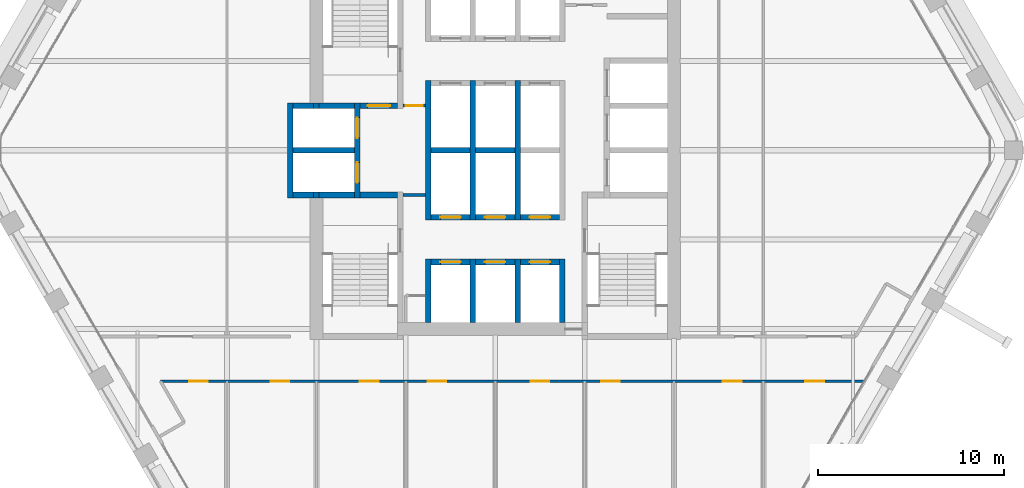
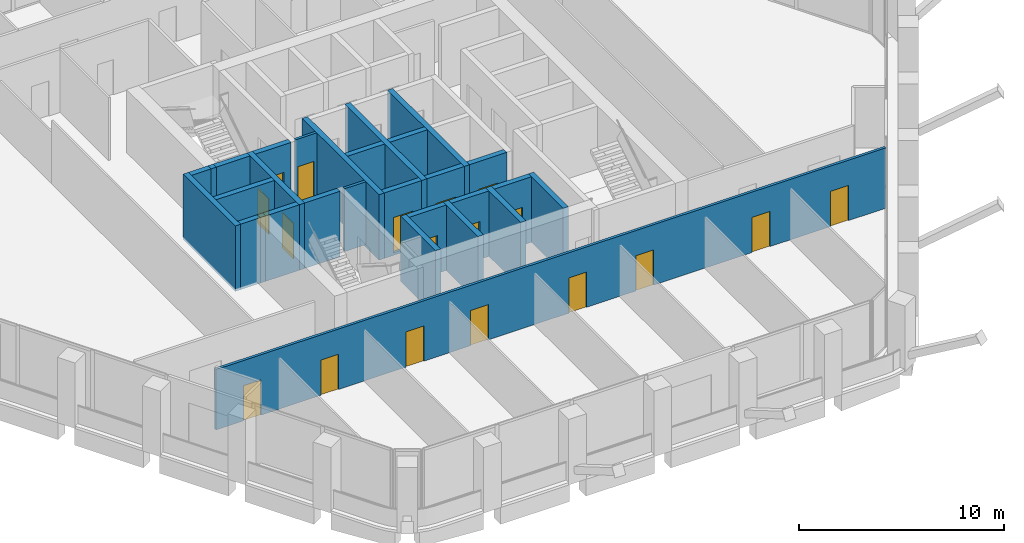
# One storey, part 10 of 16: 29 walls, 18 doors, 18 openings.
"""IFC4 building model written with IfcOpenShell, lengths in metres."""

from ifc_helpers import new_model, si_unit, direction, frame, frame_2d, origin, place, context, subcontext, project, spatial, rectangle, extrude, material, layer, layer_set, type_object, element, fill, save


model = new_model("IFC4")

# Units and contexts
model_context = context("Model", 3, precision=1e-05, world=origin(), true_north=direction((0.0, 1.0)))
body_context = subcontext(model_context, "Body", "Model", "MODEL_VIEW")
ifc_project = project(units=[si_unit("LENGTHUNIT", "METRE"), si_unit("AREAUNIT", "SQUARE_METRE"), si_unit("VOLUMEUNIT", "CUBIC_METRE"), si_unit("PLANEANGLEUNIT", "RADIAN"), si_unit("MASSUNIT", "GRAM", prefix="KILO")], contexts=[model_context])

# Site, building, storey
site_placement = place(None, origin())
site = spatial("IfcSite", under=ifc_project, at=site_placement, CompositionType="ELEMENT")
building_placement = place(site_placement, origin())
building = spatial("IfcBuilding", under=site, at=building_placement, Name="Kolab Exchange Tower", CompositionType="ELEMENT")
storey_placement = place(building_placement, frame((0.0, 0.0, 193.39990234375)))
storey = spatial("IfcBuildingStorey", under=building, at=storey_placement, Name="L41", CompositionType="ELEMENT", Elevation=193.39990234375)

# Wall, opening, door
ifc_material_1 = material(Name="Concrete C50/60", Category="concrete")
ifc_layer_1 = layer(ifc_material_1, 0.300048828125)
ifc_layer_set_1 = layer_set([ifc_layer_1], Name="Concrete C50/60")
wall_type_1 = type_object("IfcWallType", Name="LIFT SHAFT WALL 300 C50/60", PredefinedType="STANDARD", material=ifc_layer_set_1)
wall_1_placement = place(storey_placement, frame((-3.449951171875, -6.0, -0.14990234375), z_axis=(0.0, 0.0, 1.0), x_axis=(1.0, 0.0, 0.0)))
wall_1 = element("IfcWall", 1, at=wall_1_placement, inside=storey, type_object=wall_type_1, Name="wall/L41/core/003", PredefinedType="STANDARD", context=body_context, shape_type="SweptSolid", body=[
    extrude(rectangle(XDim=2.099853515625, YDim=0.300048828125, at=frame_2d((1.0498046875, 0.0))), origin(), (0.0, 0.0, 1.0), 3.89990234375),
])
opening_1_placement = place(wall_1_placement, frame((0.5, 0.0, 0.14990234375)))
opening_1 = element("IfcOpeningElement", 2, at=opening_1_placement, cuts=wall_1, Name="Opening LD1-110", PredefinedType="OPENING", context=body_context, shape_type="SweptSolid", body=[
    extrude(rectangle(XDim=1.10009765625, YDim=2.10009765625, at=frame_2d((0.550048828125, 1.050048828125))), frame((0.0, 0.16015625, 0.0), z_axis=(0.0, -1.0, 0.0), x_axis=(1.0, 0.0, 0.0)), (0.0, 0.0, 1.0), 0.320068359375),
])
ifc_material_2 = material(Name="Stainless steel 316", Category="steel")
door_type_1 = type_object("IfcDoorType", Name="LANDING DOOR 1100 PASSENGER", OperationType="DOUBLE_DOOR_SLIDING", PredefinedType="DOOR", material=ifc_material_2)
door_1_placement = place(opening_1_placement, origin())
door_1 = element("IfcDoor", 3, at=door_1_placement, inside=storey, type_object=door_type_1, Name="Landing door HR10", OperationType="DOUBLE_DOOR_SLIDING", OverallHeight=2.10009765625, OverallWidth=1.10009765625, PredefinedType="DOOR", context=body_context, shape_type="SweptSolid", body=[
    extrude(rectangle(XDim=1.10009765625, YDim=2.10009765625, at=frame_2d((0.550048828125, 1.050048828125))), frame((0.0, 0.02490234375, 0.0), z_axis=(0.0, -1.0, 0.0), x_axis=(1.0, 0.0, 0.0)), (0.0, 0.0, 1.0), 0.050048828125),
])
fill(opening_1, door_1)

wall_2_placement = place(storey_placement, frame((-1.050048828125, -6.0, -0.14990234375), z_axis=(0.0, 0.0, 1.0), x_axis=(1.0, 0.0, 0.0)))
wall_2 = element("IfcWall", 4, at=wall_2_placement, inside=storey, type_object=wall_type_1, Name="wall/L41/core/004", PredefinedType="STANDARD", context=body_context, shape_type="SweptSolid", body=[
    extrude(rectangle(XDim=2.10009765625, YDim=0.300048828125, at=frame_2d((1.050048828125, 0.0))), origin(), (0.0, 0.0, 1.0), 3.89990234375),
])
opening_2_placement = place(wall_2_placement, frame((0.5, 0.0, 0.14990234375)))
opening_2 = element("IfcOpeningElement", 5, at=opening_2_placement, cuts=wall_2, Name="Opening LD1-111", PredefinedType="OPENING", context=body_context, shape_type="SweptSolid", body=[
    extrude(rectangle(XDim=1.10009765625, YDim=2.10009765625, at=frame_2d((0.550048828125, 1.050048828125))), frame((0.0, 0.16015625, 0.0), z_axis=(0.0, -1.0, 0.0), x_axis=(1.0, 0.0, 0.0)), (0.0, 0.0, 1.0), 0.320068359375),
])
door_2_placement = place(opening_2_placement, origin())
door_2 = element("IfcDoor", 6, at=door_2_placement, inside=storey, type_object=door_type_1, Name="Landing door HR11", OperationType="DOUBLE_DOOR_SLIDING", OverallHeight=2.10009765625, OverallWidth=1.10009765625, PredefinedType="DOOR", context=body_context, shape_type="SweptSolid", body=[
    extrude(rectangle(XDim=1.10009765625, YDim=2.10009765625, at=frame_2d((0.550048828125, 1.050048828125))), frame((0.0, 0.02490234375, 0.0), z_axis=(0.0, -1.0, 0.0), x_axis=(1.0, 0.0, 0.0)), (0.0, 0.0, 1.0), 0.050048828125),
])
fill(opening_2, door_2)

wall_3_placement = place(storey_placement, frame((1.35009765625, -6.0, -0.14990234375), z_axis=(0.0, 0.0, 1.0), x_axis=(1.0, 0.0, 0.0)))
wall_3 = element("IfcWall", 7, at=wall_3_placement, inside=storey, type_object=wall_type_1, Name="wall/L41/core/005", PredefinedType="STANDARD", context=body_context, shape_type="SweptSolid", body=[
    extrude(rectangle(XDim=2.099853515625, YDim=0.300048828125, at=frame_2d((1.0498046875, 0.0))), origin(), (0.0, 0.0, 1.0), 3.89990234375),
])
opening_3_placement = place(wall_3_placement, frame((0.5, 0.0, 0.14990234375)))
opening_3 = element("IfcOpeningElement", 8, at=opening_3_placement, cuts=wall_3, Name="Opening LD1-112", PredefinedType="OPENING", context=body_context, shape_type="SweptSolid", body=[
    extrude(rectangle(XDim=1.10009765625, YDim=2.10009765625, at=frame_2d((0.550048828125, 1.050048828125))), frame((0.0, 0.16015625, 0.0), z_axis=(0.0, -1.0, 0.0), x_axis=(1.0, 0.0, 0.0)), (0.0, 0.0, 1.0), 0.320068359375),
])
door_3_placement = place(opening_3_placement, origin())
door_3 = element("IfcDoor", 9, at=door_3_placement, inside=storey, type_object=door_type_1, Name="Landing door HR12", OperationType="DOUBLE_DOOR_SLIDING", OverallHeight=2.10009765625, OverallWidth=1.10009765625, PredefinedType="DOOR", context=body_context, shape_type="SweptSolid", body=[
    extrude(rectangle(XDim=1.10009765625, YDim=2.10009765625, at=frame_2d((0.550048828125, 1.050048828125))), frame((0.0, 0.02490234375, 0.0), z_axis=(0.0, -1.0, 0.0), x_axis=(1.0, 0.0, 0.0)), (0.0, 0.0, 1.0), 0.050048828125),
])
fill(opening_3, door_3)

wall_4_placement = place(storey_placement, frame((-3.449951171875, -3.60009765625, -0.14990234375), z_axis=(0.0, 0.0, 1.0), x_axis=(1.0, 0.0, 0.0)))
wall_4 = element("IfcWall", 10, at=wall_4_placement, inside=storey, type_object=wall_type_1, Name="wall/L41/core/006", PredefinedType="STANDARD", context=body_context, shape_type="SweptSolid", body=[
    extrude(rectangle(XDim=2.099853515625, YDim=0.300048828125, at=frame_2d((1.0498046875, 0.0))), origin(), (0.0, 0.0, 1.0), 3.89990234375),
])
opening_4_placement = place(wall_4_placement, frame((0.5, 0.0, 0.14990234375)))
opening_4 = element("IfcOpeningElement", 11, at=opening_4_placement, cuts=wall_4, Name="Opening LD1-118", PredefinedType="OPENING", context=body_context, shape_type="SweptSolid", body=[
    extrude(rectangle(XDim=1.10009765625, YDim=2.10009765625, at=frame_2d((0.550048828125, 1.050048828125))), frame((0.0, 0.16015625, 0.0), z_axis=(0.0, -1.0, 0.0), x_axis=(1.0, 0.0, 0.0)), (0.0, 0.0, 1.0), 0.320068359375),
])
door_4_placement = place(opening_4_placement, origin())
door_4 = element("IfcDoor", 12, at=door_4_placement, inside=storey, type_object=door_type_1, Name="Landing door HR7", OperationType="DOUBLE_DOOR_SLIDING", OverallHeight=2.10009765625, OverallWidth=1.10009765625, PredefinedType="DOOR", context=body_context, shape_type="SweptSolid", body=[
    extrude(rectangle(XDim=1.10009765625, YDim=2.10009765625, at=frame_2d((0.550048828125, 1.050048828125))), frame((0.0, 0.02490234375, 0.0), z_axis=(0.0, -1.0, 0.0), x_axis=(1.0, 0.0, 0.0)), (0.0, 0.0, 1.0), 0.050048828125),
])
fill(opening_4, door_4)

wall_5_placement = place(storey_placement, frame((-1.050048828125, -3.60009765625, -0.14990234375), z_axis=(0.0, 0.0, 1.0), x_axis=(1.0, 0.0, 0.0)))
wall_5 = element("IfcWall", 13, at=wall_5_placement, inside=storey, type_object=wall_type_1, Name="wall/L41/core/007", PredefinedType="STANDARD", context=body_context, shape_type="SweptSolid", body=[
    extrude(rectangle(XDim=2.10009765625, YDim=0.300048828125, at=frame_2d((1.050048828125, 0.0))), origin(), (0.0, 0.0, 1.0), 3.89990234375),
])
opening_5_placement = place(wall_5_placement, frame((0.5, 0.0, 0.14990234375)))
opening_5 = element("IfcOpeningElement", 14, at=opening_5_placement, cuts=wall_5, Name="Opening LD1-119", PredefinedType="OPENING", context=body_context, shape_type="SweptSolid", body=[
    extrude(rectangle(XDim=1.10009765625, YDim=2.10009765625, at=frame_2d((0.550048828125, 1.050048828125))), frame((0.0, 0.16015625, 0.0), z_axis=(0.0, -1.0, 0.0), x_axis=(1.0, 0.0, 0.0)), (0.0, 0.0, 1.0), 0.320068359375),
])
door_5_placement = place(opening_5_placement, origin())
door_5 = element("IfcDoor", 15, at=door_5_placement, inside=storey, type_object=door_type_1, Name="Landing door HR8", OperationType="DOUBLE_DOOR_SLIDING", OverallHeight=2.10009765625, OverallWidth=1.10009765625, PredefinedType="DOOR", context=body_context, shape_type="SweptSolid", body=[
    extrude(rectangle(XDim=1.10009765625, YDim=2.10009765625, at=frame_2d((0.550048828125, 1.050048828125))), frame((0.0, 0.02490234375, 0.0), z_axis=(0.0, -1.0, 0.0), x_axis=(1.0, 0.0, 0.0)), (0.0, 0.0, 1.0), 0.050048828125),
])
fill(opening_5, door_5)

wall_6_placement = place(storey_placement, frame((1.35009765625, -3.60009765625, -0.14990234375), z_axis=(0.0, 0.0, 1.0), x_axis=(1.0, 0.0, 0.0)))
wall_6 = element("IfcWall", 16, at=wall_6_placement, inside=storey, type_object=wall_type_1, Name="wall/L41/core/008", PredefinedType="STANDARD", context=body_context, shape_type="SweptSolid", body=[
    extrude(rectangle(XDim=2.099853515625, YDim=0.300048828125, at=frame_2d((1.0498046875, 0.0))), origin(), (0.0, 0.0, 1.0), 3.89990234375),
])
opening_6_placement = place(wall_6_placement, frame((0.5, 0.0, 0.14990234375)))
opening_6 = element("IfcOpeningElement", 17, at=opening_6_placement, cuts=wall_6, Name="Opening LD1-120", PredefinedType="OPENING", context=body_context, shape_type="SweptSolid", body=[
    extrude(rectangle(XDim=1.10009765625, YDim=2.10009765625, at=frame_2d((0.550048828125, 1.050048828125))), frame((0.0, 0.16015625, 0.0), z_axis=(0.0, -1.0, 0.0), x_axis=(1.0, 0.0, 0.0)), (0.0, 0.0, 1.0), 0.320068359375),
])
door_6_placement = place(opening_6_placement, origin())
door_6 = element("IfcDoor", 18, at=door_6_placement, inside=storey, type_object=door_type_1, Name="Landing door HR9", OperationType="DOUBLE_DOOR_SLIDING", OverallHeight=2.10009765625, OverallWidth=1.10009765625, PredefinedType="DOOR", context=body_context, shape_type="SweptSolid", body=[
    extrude(rectangle(XDim=1.10009765625, YDim=2.10009765625, at=frame_2d((0.550048828125, 1.050048828125))), frame((0.0, 0.02490234375, 0.0), z_axis=(0.0, -1.0, 0.0), x_axis=(1.0, 0.0, 0.0)), (0.0, 0.0, 1.0), 0.050048828125),
])
fill(opening_6, door_6)

# Walls
wall_7_placement = place(storey_placement, frame((-10.85009765625, -2.39990234375, -0.14990234375), z_axis=(0.0, 0.0, 1.0), x_axis=(1.0, 0.0, 0.0)))
element("IfcWall", 19, at=wall_7_placement, inside=storey, type_object=wall_type_1, Name="wall/L41/core/009", PredefinedType="STANDARD", context=body_context, shape_type="SweptSolid", body=[
    extrude(rectangle(XDim=1.10009765625, YDim=0.300048828125, at=frame_2d((0.550048828125, 0.0))), origin(), (0.0, 0.0, 1.0), 3.89990234375),
])
wall_8_placement = place(storey_placement, frame((-10.85009765625, 0.0, -0.14990234375), z_axis=(0.0, 0.0, 1.0), x_axis=(1.0, 0.0, 0.0)))
element("IfcWall", 20, at=wall_8_placement, inside=storey, type_object=wall_type_1, Name="wall/L41/core/014", PredefinedType="STANDARD", context=body_context, shape_type="SweptSolid", body=[
    extrude(rectangle(XDim=3.300048828125, YDim=0.300048828125, at=frame_2d((1.64990234375, 0.0))), origin(), (0.0, 0.0, 1.0), 3.89990234375),
])
wall_9_placement = place(storey_placement, frame((-3.449951171875, 0.0, -0.14990234375), z_axis=(0.0, 0.0, 1.0), x_axis=(1.0, 0.0, 0.0)))
element("IfcWall", 21, at=wall_9_placement, inside=storey, type_object=wall_type_1, Name="wall/L41/core/015", PredefinedType="STANDARD", context=body_context, shape_type="SweptSolid", body=[
    extrude(rectangle(XDim=2.099853515625, YDim=0.300048828125, at=frame_2d((1.0498046875, 0.0))), origin(), (0.0, 0.0, 1.0), 3.89990234375),
])
wall_10_placement = place(storey_placement, frame((-1.050048828125, 0.0, -0.14990234375), z_axis=(0.0, 0.0, 1.0), x_axis=(1.0, 0.0, 0.0)))
element("IfcWall", 22, at=wall_10_placement, inside=storey, type_object=wall_type_1, Name="wall/L41/core/016", PredefinedType="STANDARD", context=body_context, shape_type="SweptSolid", body=[
    extrude(rectangle(XDim=2.10009765625, YDim=0.300048828125, at=frame_2d((1.050048828125, 0.0))), origin(), (0.0, 0.0, 1.0), 3.89990234375),
])
wall_11_placement = place(storey_placement, frame((-10.85009765625, 2.39990234375, -0.14990234375), z_axis=(0.0, 0.0, 1.0), x_axis=(1.0, 0.0, 0.0)))
element("IfcWall", 23, at=wall_11_placement, inside=storey, type_object=wall_type_1, Name="wall/L41/core/019", PredefinedType="STANDARD", context=body_context, shape_type="SweptSolid", body=[
    extrude(rectangle(XDim=1.10009765625, YDim=0.300048828125, at=frame_2d((0.550048828125, 0.0))), origin(), (0.0, 0.0, 1.0), 3.89990234375),
])
wall_12_placement = place(storey_placement, frame((-11.0, -2.550048828125, -0.14990234375), z_axis=(0.0, 0.0, 1.0), x_axis=(0.0, 1.0, 0.0)))
element("IfcWall", 24, at=wall_12_placement, inside=storey, type_object=wall_type_1, Name="wall/L41/core/033", PredefinedType="STANDARD", context=body_context, shape_type="SweptSolid", body=[
    extrude(rectangle(XDim=5.10009765625, YDim=0.300048828125, at=frame_2d((2.550048828125, 0.0))), origin(), (0.0, 0.0, 1.0), 3.89990234375),
])

# Wall, openings, doors
wall_13_placement = place(storey_placement, frame((-7.39990234375, -2.550048828125, -0.14990234375), z_axis=(0.0, 0.0, 1.0), x_axis=(0.0, 1.0, 0.0)))
wall_13 = element("IfcWall", 25, at=wall_13_placement, inside=storey, type_object=wall_type_1, Name="wall/L41/core/038", PredefinedType="STANDARD", context=body_context, shape_type="SweptSolid", body=[
    extrude(rectangle(XDim=5.10009765625, YDim=0.300048828125, at=frame_2d((2.550048828125, 0.0))), origin(), (0.0, 0.0, 1.0), 3.89990234375),
])
opening_7_placement = place(wall_13_placement, frame((0.800048828125, 0.0, 0.14990234375)))
opening_7 = element("IfcOpeningElement", 26, at=opening_7_placement, cuts=wall_13, Name="Opening LD2-025", PredefinedType="OPENING", context=body_context, shape_type="SweptSolid", body=[
    extrude(rectangle(XDim=1.10009765625, YDim=2.10009765625, at=frame_2d((0.550048828125, 1.050048828125))), frame((0.0, 0.16015625, 0.0), z_axis=(0.0, -1.0, 0.0), x_axis=(1.0, 0.0, 0.0)), (0.0, 0.0, 1.0), 0.320068359375),
])
opening_8_placement = place(wall_13_placement, frame((3.199951171875, 0.0, 0.14990234375)))
opening_8 = element("IfcOpeningElement", 27, at=opening_8_placement, cuts=wall_13, Name="Opening LD2-026", PredefinedType="OPENING", context=body_context, shape_type="SweptSolid", body=[
    extrude(rectangle(XDim=1.10009765625, YDim=2.10009765625, at=frame_2d((0.550048828125, 1.050048828125))), frame((0.0, 0.16015625, 0.0), z_axis=(0.0, -1.0, 0.0), x_axis=(1.0, 0.0, 0.0)), (0.0, 0.0, 1.0), 0.320068359375),
])
door_type_2 = type_object("IfcDoorType", Name="LANDING DOOR 1100 FIREFIGHTING", OperationType="DOUBLE_DOOR_SLIDING", PredefinedType="DOOR", material=ifc_material_2)
door_7_placement = place(opening_7_placement, origin())
door_7 = element("IfcDoor", 28, at=door_7_placement, inside=storey, type_object=door_type_2, Name="Landing door FF1", OperationType="DOUBLE_DOOR_SLIDING", OverallHeight=2.10009765625, OverallWidth=1.10009765625, PredefinedType="DOOR", context=body_context, shape_type="SweptSolid", body=[
    extrude(rectangle(XDim=1.10009765625, YDim=2.10009765625, at=frame_2d((0.550048828125, 1.050048828125))), frame((0.0, 0.02490234375, 0.0), z_axis=(0.0, -1.0, 0.0), x_axis=(1.0, 0.0, 0.0)), (0.0, 0.0, 1.0), 0.050048828125),
])
fill(opening_7, door_7)
door_8_placement = place(opening_8_placement, origin())
door_8 = element("IfcDoor", 29, at=door_8_placement, inside=storey, type_object=door_type_2, Name="Landing door FF2", OperationType="DOUBLE_DOOR_SLIDING", OverallHeight=2.10009765625, OverallWidth=1.10009765625, PredefinedType="DOOR", context=body_context, shape_type="SweptSolid", body=[
    extrude(rectangle(XDim=1.10009765625, YDim=2.10009765625, at=frame_2d((0.550048828125, 1.050048828125))), frame((0.0, 0.02490234375, 0.0), z_axis=(0.0, -1.0, 0.0), x_axis=(1.0, 0.0, 0.0)), (0.0, 0.0, 1.0), 0.050048828125),
])
fill(opening_8, door_8)

# Walls
wall_14_placement = place(storey_placement, frame((-3.60009765625, -9.25, -0.14990234375), z_axis=(0.0, 0.0, 1.0), x_axis=(0.0, 1.0, 0.0)))
element("IfcWall", 30, at=wall_14_placement, inside=storey, type_object=wall_type_1, Name="wall/L41/core/043", PredefinedType="STANDARD", context=body_context, shape_type="SweptSolid", body=[
    extrude(rectangle(XDim=3.39990234375, YDim=0.300048828125, at=frame_2d((1.699951171875, 0.0))), origin(), (0.0, 0.0, 1.0), 3.89990234375),
])
wall_15_placement = place(storey_placement, frame((-3.60009765625, -3.75, -0.14990234375), z_axis=(0.0, 0.0, 1.0), x_axis=(0.0, 1.0, 0.0)))
element("IfcWall", 31, at=wall_15_placement, inside=storey, type_object=wall_type_1, Name="wall/L41/core/044", PredefinedType="STANDARD", context=body_context, shape_type="SweptSolid", body=[
    extrude(rectangle(XDim=7.5, YDim=0.300048828125, at=frame_2d((3.75, 0.0))), origin(), (0.0, 0.0, 1.0), 3.89990234375),
])
wall_16_placement = place(storey_placement, frame((-1.199951171875, -9.25, -0.14990234375), z_axis=(0.0, 0.0, 1.0), x_axis=(0.0, 1.0, 0.0)))
element("IfcWall", 32, at=wall_16_placement, inside=storey, type_object=wall_type_1, Name="wall/L41/core/046", PredefinedType="STANDARD", context=body_context, shape_type="SweptSolid", body=[
    extrude(rectangle(XDim=3.39990234375, YDim=0.300048828125, at=frame_2d((1.699951171875, 0.0))), origin(), (0.0, 0.0, 1.0), 3.89990234375),
])
wall_17_placement = place(storey_placement, frame((-1.199951171875, -3.75, -0.14990234375), z_axis=(0.0, 0.0, 1.0), x_axis=(0.0, 1.0, 0.0)))
element("IfcWall", 33, at=wall_17_placement, inside=storey, type_object=wall_type_1, Name="wall/L41/core/047", PredefinedType="STANDARD", context=body_context, shape_type="SweptSolid", body=[
    extrude(rectangle(XDim=7.5, YDim=0.300048828125, at=frame_2d((3.75, 0.0))), origin(), (0.0, 0.0, 1.0), 3.89990234375),
])
wall_18_placement = place(storey_placement, frame((1.199951171875, -9.25, -0.14990234375), z_axis=(0.0, 0.0, 1.0), x_axis=(0.0, 1.0, 0.0)))
element("IfcWall", 34, at=wall_18_placement, inside=storey, type_object=wall_type_1, Name="wall/L41/core/049", PredefinedType="STANDARD", context=body_context, shape_type="SweptSolid", body=[
    extrude(rectangle(XDim=3.39990234375, YDim=0.300048828125, at=frame_2d((1.699951171875, 0.0))), origin(), (0.0, 0.0, 1.0), 3.89990234375),
])
wall_19_placement = place(storey_placement, frame((1.199951171875, -3.75, -0.14990234375), z_axis=(0.0, 0.0, 1.0), x_axis=(0.0, 1.0, 0.0)))
element("IfcWall", 35, at=wall_19_placement, inside=storey, type_object=wall_type_1, Name="wall/L41/core/050", PredefinedType="STANDARD", context=body_context, shape_type="SweptSolid", body=[
    extrude(rectangle(XDim=7.5, YDim=0.300048828125, at=frame_2d((3.75, 0.0))), origin(), (0.0, 0.0, 1.0), 3.89990234375),
])
wall_20_placement = place(storey_placement, frame((3.60009765625, -9.25, -0.14990234375), z_axis=(0.0, 0.0, 1.0), x_axis=(0.0, 1.0, 0.0)))
element("IfcWall", 36, at=wall_20_placement, inside=storey, type_object=wall_type_1, Name="wall/L41/core/052", PredefinedType="STANDARD", context=body_context, shape_type="SweptSolid", body=[
    extrude(rectangle(XDim=3.39990234375, YDim=0.300048828125, at=frame_2d((1.699951171875, 0.0))), origin(), (0.0, 0.0, 1.0), 3.89990234375),
])

# Wall, openings, doors
ifc_material_3 = material(Name="Gypsum board", Category="gypsum")
ifc_layer_2 = layer(ifc_material_3, 0.14990234375)
ifc_layer_set_2 = layer_set([ifc_layer_2], Name="Gypsum board")
wall_type_2 = type_object("IfcWallType", Name="PARTITION 150 FIRE-RATED", PredefinedType="PARTITIONING", material=ifc_layer_set_2)
wall_21_placement = place(storey_placement, frame((-17.968994140625, -12.39990234375, 0.0), z_axis=(0.0, 0.0, 1.0), x_axis=(1.0, 0.0, 0.0)))
wall_21 = element("IfcWall", 37, at=wall_21_placement, inside=storey, type_object=wall_type_2, Name="Partition 028", PredefinedType="PARTITIONING", context=body_context, shape_type="SweptSolid", body=[
    extrude(rectangle(XDim=37.7392578125, YDim=0.14990234375, at=frame_2d((18.86962890625, 0.0))), origin(), (0.0, 0.0, 1.0), 3.60009765625),
])
opening_9_placement = place(wall_21_placement, frame((1.534912109375, 0.0, 0.0)))
opening_9 = element("IfcOpeningElement", 38, at=opening_9_placement, cuts=wall_21, Name="Opening D1-538", PredefinedType="OPENING", context=body_context, shape_type="SweptSolid", body=[
    extrude(rectangle(XDim=1.0, YDim=2.10009765625, at=frame_2d((0.5, 1.050048828125))), frame((0.0, 0.0849609375, 0.0), z_axis=(0.0, -1.0, 0.0), x_axis=(1.0, 0.0, 0.0)), (0.0, 0.0, 1.0), 0.169921875),
])
opening_10_placement = place(wall_21_placement, frame((5.90380859375, 0.0, 0.0)))
opening_10 = element("IfcOpeningElement", 39, at=opening_10_placement, cuts=wall_21, Name="Opening D1-539", PredefinedType="OPENING", context=body_context, shape_type="SweptSolid", body=[
    extrude(rectangle(XDim=1.0, YDim=2.10009765625, at=frame_2d((0.5, 1.050048828125))), frame((0.0, 0.0849609375, 0.0), z_axis=(0.0, -1.0, 0.0), x_axis=(1.0, 0.0, 0.0)), (0.0, 0.0, 1.0), 0.169921875),
])
opening_11_placement = place(wall_21_placement, frame((10.703857421875, 0.0, 0.0)))
opening_11 = element("IfcOpeningElement", 40, at=opening_11_placement, cuts=wall_21, Name="Opening D1-540", PredefinedType="OPENING", context=body_context, shape_type="SweptSolid", body=[
    extrude(rectangle(XDim=1.0, YDim=2.10009765625, at=frame_2d((0.5, 1.050048828125))), frame((0.0, 0.0849609375, 0.0), z_axis=(0.0, -1.0, 0.0), x_axis=(1.0, 0.0, 0.0)), (0.0, 0.0, 1.0), 0.169921875),
])
opening_12_placement = place(wall_21_placement, frame((14.343994140625, 0.0, 0.0)))
opening_12 = element("IfcOpeningElement", 41, at=opening_12_placement, cuts=wall_21, Name="Opening D1-541", PredefinedType="OPENING", context=body_context, shape_type="SweptSolid", body=[
    extrude(rectangle(XDim=1.0, YDim=2.10009765625, at=frame_2d((0.5, 1.050048828125))), frame((0.0, 0.0849609375, 0.0), z_axis=(0.0, -1.0, 0.0), x_axis=(1.0, 0.0, 0.0)), (0.0, 0.0, 1.0), 0.169921875),
])
opening_13_placement = place(wall_21_placement, frame((19.868896484375, 0.0, 0.0)))
opening_13 = element("IfcOpeningElement", 42, at=opening_13_placement, cuts=wall_21, Name="Opening D1-542", PredefinedType="OPENING", context=body_context, shape_type="SweptSolid", body=[
    extrude(rectangle(XDim=1.0, YDim=2.10009765625, at=frame_2d((0.5, 1.050048828125))), frame((0.0, 0.0849609375, 0.0), z_axis=(0.0, -1.0, 0.0), x_axis=(1.0, 0.0, 0.0)), (0.0, 0.0, 1.0), 0.169921875),
])
opening_14_placement = place(wall_21_placement, frame((23.65380859375, 0.0, 0.0)))
opening_14 = element("IfcOpeningElement", 43, at=opening_14_placement, cuts=wall_21, Name="Opening D1-543", PredefinedType="OPENING", context=body_context, shape_type="SweptSolid", body=[
    extrude(rectangle(XDim=1.0, YDim=2.10009765625, at=frame_2d((0.5, 1.050048828125))), frame((0.0, 0.0849609375, 0.0), z_axis=(0.0, -1.0, 0.0), x_axis=(1.0, 0.0, 0.0)), (0.0, 0.0, 1.0), 0.169921875),
])
opening_15_placement = place(wall_21_placement, frame((30.19384765625, 0.0, 0.0)))
opening_15 = element("IfcOpeningElement", 44, at=opening_15_placement, cuts=wall_21, Name="Opening D1-544", PredefinedType="OPENING", context=body_context, shape_type="SweptSolid", body=[
    extrude(rectangle(XDim=1.0, YDim=2.10009765625, at=frame_2d((0.5, 1.050048828125))), frame((0.0, 0.0849609375, 0.0), z_axis=(0.0, -1.0, 0.0), x_axis=(1.0, 0.0, 0.0)), (0.0, 0.0, 1.0), 0.169921875),
])
opening_16_placement = place(wall_21_placement, frame((34.623291015625, 0.0, 0.0)))
opening_16 = element("IfcOpeningElement", 45, at=opening_16_placement, cuts=wall_21, Name="Opening D1-545", PredefinedType="OPENING", context=body_context, shape_type="SweptSolid", body=[
    extrude(rectangle(XDim=1.0, YDim=2.10009765625, at=frame_2d((0.5, 1.050048828125))), frame((0.0, 0.0849609375, 0.0), z_axis=(0.0, -1.0, 0.0), x_axis=(1.0, 0.0, 0.0)), (0.0, 0.0, 1.0), 0.169921875),
])
ifc_material_4 = material(Name="Steel S235", Category="steel")
door_type_3 = type_object("IfcDoorType", Name="FLUSH DOOR 1000 FD60", OperationType="SINGLE_SWING_LEFT", PredefinedType="DOOR", material=ifc_material_4)
door_9_placement = place(opening_9_placement, frame((1.0, 0.0, 0.0), z_axis=(0.0, 0.0, 1.0), x_axis=(-1.0, 0.0, 0.0)))
door_9 = element("IfcDoor", 46, at=door_9_placement, inside=storey, type_object=door_type_3, Name="Door L41-040", OperationType="SINGLE_SWING_RIGHT", OverallHeight=2.10009765625, OverallWidth=1.0, PredefinedType="DOOR", context=body_context, shape_type="SweptSolid", body=[
    extrude(rectangle(XDim=1.0, YDim=2.10009765625, at=frame_2d((0.5, 1.050048828125))), frame((0.0, 0.02490234375, 0.0), z_axis=(0.0, -1.0, 0.0), x_axis=(1.0, 0.0, 0.0)), (0.0, 0.0, 1.0), 0.050048828125),
])
fill(opening_9, door_9)
door_10_placement = place(opening_10_placement, frame((1.0, 0.0, 0.0), z_axis=(0.0, 0.0, 1.0), x_axis=(-1.0, 0.0, 0.0)))
door_10 = element("IfcDoor", 47, at=door_10_placement, inside=storey, type_object=door_type_3, Name="Door L41-041", OperationType="SINGLE_SWING_RIGHT", OverallHeight=2.10009765625, OverallWidth=1.0, PredefinedType="DOOR", context=body_context, shape_type="SweptSolid", body=[
    extrude(rectangle(XDim=1.0, YDim=2.10009765625, at=frame_2d((0.5, 1.050048828125))), frame((0.0, 0.02490234375, 0.0), z_axis=(0.0, -1.0, 0.0), x_axis=(1.0, 0.0, 0.0)), (0.0, 0.0, 1.0), 0.050048828125),
])
fill(opening_10, door_10)
door_11_placement = place(opening_11_placement, frame((1.0, 0.0, 0.0), z_axis=(0.0, 0.0, 1.0), x_axis=(-1.0, 0.0, 0.0)))
door_11 = element("IfcDoor", 48, at=door_11_placement, inside=storey, type_object=door_type_3, Name="Door L41-042", OperationType="SINGLE_SWING_RIGHT", OverallHeight=2.10009765625, OverallWidth=1.0, PredefinedType="DOOR", context=body_context, shape_type="SweptSolid", body=[
    extrude(rectangle(XDim=1.0, YDim=2.10009765625, at=frame_2d((0.5, 1.050048828125))), frame((0.0, 0.02490234375, 0.0), z_axis=(0.0, -1.0, 0.0), x_axis=(1.0, 0.0, 0.0)), (0.0, 0.0, 1.0), 0.050048828125),
])
fill(opening_11, door_11)
door_12_placement = place(opening_12_placement, frame((1.0, 0.0, 0.0), z_axis=(0.0, 0.0, 1.0), x_axis=(-1.0, 0.0, 0.0)))
door_12 = element("IfcDoor", 49, at=door_12_placement, inside=storey, type_object=door_type_3, Name="Door L41-043", OperationType="SINGLE_SWING_LEFT", OverallHeight=2.10009765625, OverallWidth=1.0, PredefinedType="DOOR", context=body_context, shape_type="SweptSolid", body=[
    extrude(rectangle(XDim=1.0, YDim=2.10009765625, at=frame_2d((0.5, 1.050048828125))), frame((0.0, 0.02490234375, 0.0), z_axis=(0.0, -1.0, 0.0), x_axis=(1.0, 0.0, 0.0)), (0.0, 0.0, 1.0), 0.050048828125),
])
fill(opening_12, door_12)
door_13_placement = place(opening_13_placement, frame((1.0, 0.0, 0.0), z_axis=(0.0, 0.0, 1.0), x_axis=(-1.0, 0.0, 0.0)))
door_13 = element("IfcDoor", 50, at=door_13_placement, inside=storey, type_object=door_type_3, Name="Door L41-044", OperationType="SINGLE_SWING_LEFT", OverallHeight=2.10009765625, OverallWidth=1.0, PredefinedType="DOOR", context=body_context, shape_type="SweptSolid", body=[
    extrude(rectangle(XDim=1.0, YDim=2.10009765625, at=frame_2d((0.5, 1.050048828125))), frame((0.0, 0.02490234375, 0.0), z_axis=(0.0, -1.0, 0.0), x_axis=(1.0, 0.0, 0.0)), (0.0, 0.0, 1.0), 0.050048828125),
])
fill(opening_13, door_13)
door_14_placement = place(opening_14_placement, frame((1.0, 0.0, 0.0), z_axis=(0.0, 0.0, 1.0), x_axis=(-1.0, 0.0, 0.0)))
door_14 = element("IfcDoor", 51, at=door_14_placement, inside=storey, type_object=door_type_3, Name="Door L41-045", OperationType="SINGLE_SWING_LEFT", OverallHeight=2.10009765625, OverallWidth=1.0, PredefinedType="DOOR", context=body_context, shape_type="SweptSolid", body=[
    extrude(rectangle(XDim=1.0, YDim=2.10009765625, at=frame_2d((0.5, 1.050048828125))), frame((0.0, 0.02490234375, 0.0), z_axis=(0.0, -1.0, 0.0), x_axis=(1.0, 0.0, 0.0)), (0.0, 0.0, 1.0), 0.050048828125),
])
fill(opening_14, door_14)
door_15_placement = place(opening_15_placement, frame((1.0, 0.0, 0.0), z_axis=(0.0, 0.0, 1.0), x_axis=(-1.0, 0.0, 0.0)))
door_15 = element("IfcDoor", 52, at=door_15_placement, inside=storey, type_object=door_type_3, Name="Door L41-046", OperationType="SINGLE_SWING_RIGHT", OverallHeight=2.10009765625, OverallWidth=1.0, PredefinedType="DOOR", context=body_context, shape_type="SweptSolid", body=[
    extrude(rectangle(XDim=1.0, YDim=2.10009765625, at=frame_2d((0.5, 1.050048828125))), frame((0.0, 0.02490234375, 0.0), z_axis=(0.0, -1.0, 0.0), x_axis=(1.0, 0.0, 0.0)), (0.0, 0.0, 1.0), 0.050048828125),
])
fill(opening_15, door_15)
door_16_placement = place(opening_16_placement, frame((1.0, 0.0, 0.0), z_axis=(0.0, 0.0, 1.0), x_axis=(-1.0, 0.0, 0.0)))
door_16 = element("IfcDoor", 53, at=door_16_placement, inside=storey, type_object=door_type_3, Name="Door L41-047", OperationType="SINGLE_SWING_RIGHT", OverallHeight=2.10009765625, OverallWidth=1.0, PredefinedType="DOOR", context=body_context, shape_type="SweptSolid", body=[
    extrude(rectangle(XDim=1.0, YDim=2.10009765625, at=frame_2d((0.5, 1.050048828125))), frame((0.0, 0.02490234375, 0.0), z_axis=(0.0, -1.0, 0.0), x_axis=(1.0, 0.0, 0.0)), (0.0, 0.0, 1.0), 0.050048828125),
])
fill(opening_16, door_16)

# Wall, opening, door
wall_22_placement = place(storey_placement, frame((-4.949951171875, 2.39990234375, 0.0), z_axis=(0.0, 0.0, 1.0), x_axis=(1.0, 0.0, 0.0)))
wall_22 = element("IfcWall", 54, at=wall_22_placement, inside=storey, type_object=wall_type_2, Name="Fire partition", PredefinedType="PARTITIONING", context=body_context, shape_type="SweptSolid", body=[
    extrude(rectangle(XDim=1.199951171875, YDim=0.14990234375, at=frame_2d((0.60009765625, 0.0))), origin(), (0.0, 0.0, 1.0), 3.75),
])
opening_17_placement = place(wall_22_placement, frame((0.14990234375, 0.0, 0.0)))
opening_17 = element("IfcOpeningElement", 55, at=opening_17_placement, cuts=wall_22, Name="Opening D6-288", PredefinedType="OPENING", context=body_context, shape_type="SweptSolid", body=[
    extrude(rectangle(XDim=0.89990234375, YDim=2.10009765625, at=frame_2d((0.449951171875, 1.050048828125))), frame((0.0, 0.0849609375, 0.0), z_axis=(0.0, -1.0, 0.0), x_axis=(1.0, 0.0, 0.0)), (0.0, 0.0, 1.0), 0.169921875),
])
door_type_4 = type_object("IfcDoorType", Name="CORE DOOR 900 EI 120", OperationType="SINGLE_SWING_LEFT", PredefinedType="DOOR", material=ifc_material_4)
door_17_placement = place(opening_17_placement, frame((0.89990234375, 0.0, 0.0), z_axis=(0.0, 0.0, 1.0), x_axis=(-1.0, 0.0, 0.0)))
door_17 = element("IfcDoor", 56, at=door_17_placement, inside=storey, type_object=door_type_4, Name="Firefighting lobby door", OperationType="SINGLE_SWING_RIGHT", OverallHeight=2.10009765625, OverallWidth=0.89990234375, PredefinedType="DOOR", context=body_context, shape_type="SweptSolid", body=[
    extrude(rectangle(XDim=0.89990234375, YDim=2.10009765625, at=frame_2d((0.449951171875, 1.050048828125))), frame((0.0, 0.02490234375, 0.0), z_axis=(0.0, -1.0, 0.0), x_axis=(1.0, 0.0, 0.0)), (0.0, 0.0, 1.0), 0.050048828125),
])
fill(opening_17, door_17)

# Walls
wall_23_placement = place(storey_placement, frame((-4.949951171875, -2.39990234375, 0.0), z_axis=(0.0, 0.0, 1.0), x_axis=(1.0, 0.0, 0.0)))
element("IfcWall", 57, at=wall_23_placement, inside=storey, type_object=wall_type_2, Name="Fire partition", PredefinedType="PARTITIONING", context=body_context, shape_type="SweptSolid", body=[
    extrude(rectangle(XDim=1.199951171875, YDim=0.14990234375, at=frame_2d((0.60009765625, 0.0))), origin(), (0.0, 0.0, 1.0), 3.75),
])
ifc_layer_3 = layer(ifc_material_1, 0.300048828125)
ifc_layer_set_3 = layer_set([ifc_layer_3], Name="Concrete C50/60")
wall_type_3 = type_object("IfcWallType", Name="STAIR ENCLOSURE WALL 300 C50/60", PredefinedType="STANDARD", material=ifc_layer_set_3)
wall_24_placement = place(storey_placement, frame((-9.449951171875, -2.39990234375, -0.14990234375), z_axis=(0.0, 0.0, 1.0), x_axis=(1.0, 0.0, 0.0)))
element("IfcWall", 58, at=wall_24_placement, inside=storey, type_object=wall_type_3, Name="wall/L41/core/010", PredefinedType="STANDARD", context=body_context, shape_type="SweptSolid", body=[
    extrude(rectangle(XDim=1.89990234375, YDim=0.300048828125, at=frame_2d((0.949951171875, 0.0))), origin(), (0.0, 0.0, 1.0), 3.89990234375),
])
wall_25_placement = place(storey_placement, frame((-7.25, -2.39990234375, -0.14990234375), z_axis=(0.0, 0.0, 1.0), x_axis=(1.0, 0.0, 0.0)))
element("IfcWall", 59, at=wall_25_placement, inside=storey, type_object=wall_type_3, Name="wall/L41/core/011", PredefinedType="STANDARD", context=body_context, shape_type="SweptSolid", body=[
    extrude(rectangle(XDim=2.0, YDim=0.300048828125, at=frame_2d((1.0, 0.0))), origin(), (0.0, 0.0, 1.0), 3.89990234375),
])
wall_26_placement = place(storey_placement, frame((-9.449951171875, 2.39990234375, -0.14990234375), z_axis=(0.0, 0.0, 1.0), x_axis=(1.0, 0.0, 0.0)))
element("IfcWall", 60, at=wall_26_placement, inside=storey, type_object=wall_type_3, Name="wall/L41/core/020", PredefinedType="STANDARD", context=body_context, shape_type="SweptSolid", body=[
    extrude(rectangle(XDim=1.89990234375, YDim=0.300048828125, at=frame_2d((0.949951171875, 0.0))), origin(), (0.0, 0.0, 1.0), 3.89990234375),
])

# Wall, opening, door
wall_27_placement = place(storey_placement, frame((-7.25, 2.39990234375, -0.14990234375), z_axis=(0.0, 0.0, 1.0), x_axis=(1.0, 0.0, 0.0)))
wall_27 = element("IfcWall", 61, at=wall_27_placement, inside=storey, type_object=wall_type_3, Name="wall/L41/core/021", PredefinedType="STANDARD", context=body_context, shape_type="SweptSolid", body=[
    extrude(rectangle(XDim=2.0, YDim=0.300048828125, at=frame_2d((1.0, 0.0))), origin(), (0.0, 0.0, 1.0), 3.89990234375),
])
opening_18_placement = place(wall_27_placement, frame((0.39990234375, 0.0, 0.14990234375)))
opening_18 = element("IfcOpeningElement", 62, at=opening_18_placement, cuts=wall_27, Name="Opening D4-065", PredefinedType="OPENING", context=body_context, shape_type="SweptSolid", body=[
    extrude(rectangle(XDim=1.199951171875, YDim=2.10009765625, at=frame_2d((0.60009765625, 1.050048828125))), frame((0.0, 0.16015625, 0.0), z_axis=(0.0, -1.0, 0.0), x_axis=(1.0, 0.0, 0.0)), (0.0, 0.0, 1.0), 0.320068359375),
])
door_type_5 = type_object("IfcDoorType", Name="STAIR DOOR 1200 EI 120", OperationType="SINGLE_SWING_LEFT", PredefinedType="DOOR", material=ifc_material_4)
door_18_placement = place(opening_18_placement, origin())
door_18 = element("IfcDoor", 63, at=door_18_placement, inside=storey, type_object=door_type_5, Name="Stair 1 door", OperationType="SINGLE_SWING_RIGHT", OverallHeight=2.10009765625, OverallWidth=1.199951171875, PredefinedType="DOOR", context=body_context, shape_type="SweptSolid", body=[
    extrude(rectangle(XDim=1.199951171875, YDim=2.10009765625, at=frame_2d((0.60009765625, 1.050048828125))), frame((0.0, 0.02490234375, 0.0), z_axis=(0.0, -1.0, 0.0), x_axis=(1.0, 0.0, 0.0)), (0.0, 0.0, 1.0), 0.050048828125),
])
fill(opening_18, door_18)

# Walls
for number, where, z_axis, x_axis, name in (
    (64, (-9.60009765625, -2.550048828125, -0.14990234375), (0.0, 0.0, 1.0), (0.0, 1.0, 0.0), "wall/L41/core/035"),
    (65, (-9.60009765625, 2.25, -0.14990234375), (0.0, 0.0, 1.0), (0.0, 1.0, 0.0), "wall/L41/core/036"),
):
    element("IfcWall", number, at=place(storey_placement, frame(where, z_axis=z_axis, x_axis=x_axis)), inside=storey, type_object=wall_type_3, Name=name, PredefinedType="STANDARD", context=body_context, shape_type="SweptSolid", body=[
        extrude(rectangle(XDim=0.300048828125, YDim=0.300048828125, at=frame_2d((0.14990234375, 0.0))), origin(), (0.0, 0.0, 1.0), 3.89990234375),
    ])

save(model, "model.ifc")
